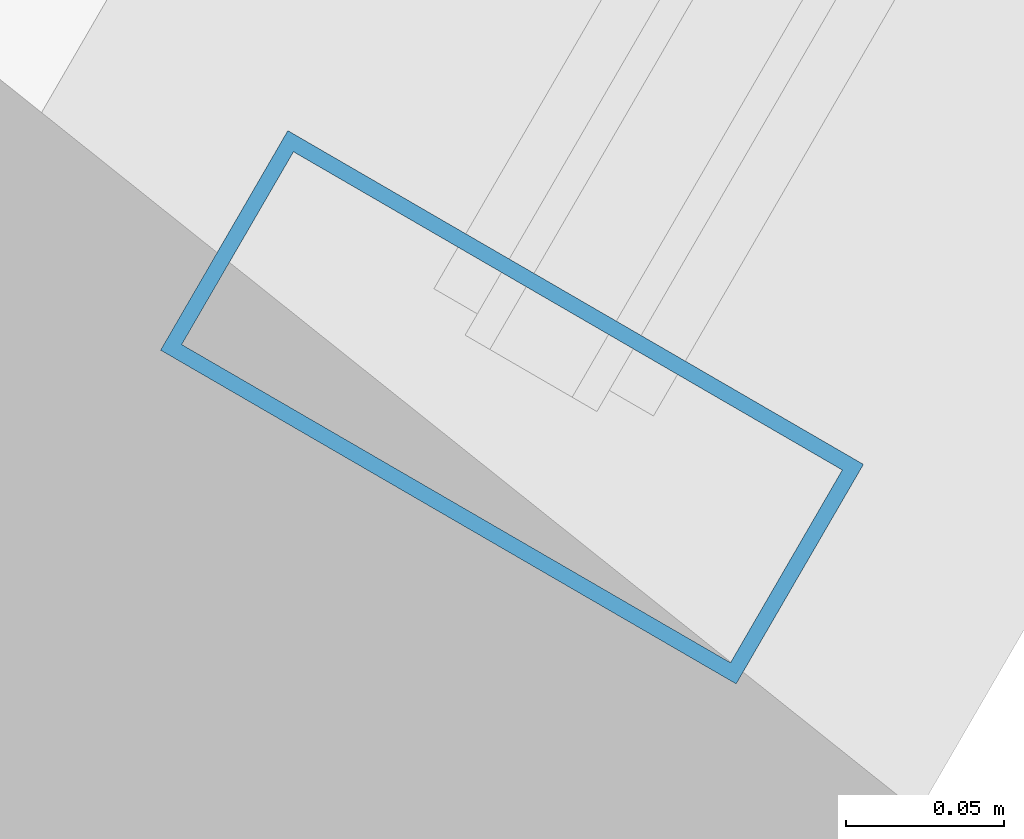
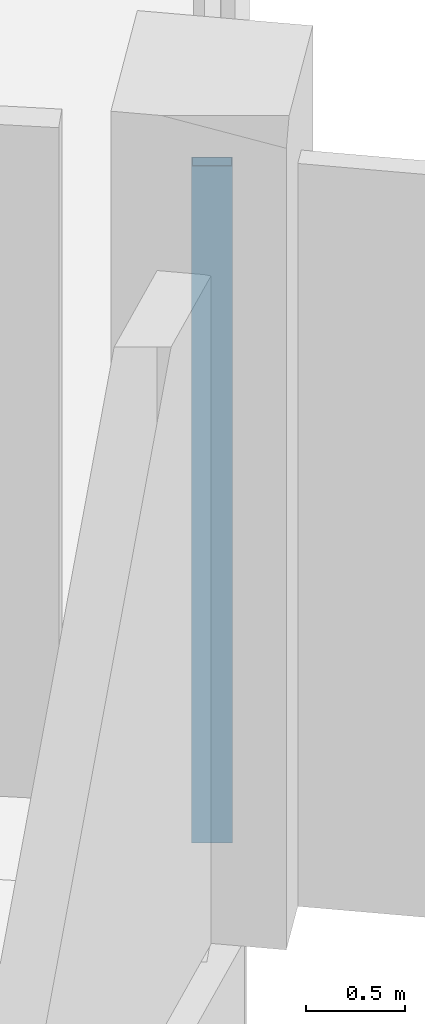
# One storey, part 66 of 184: 1 member, 1 element without a shape of its own.
"""IFC4 building model written with IfcOpenShell, lengths in metres."""

from ifc_helpers import new_model, si_unit, direction, frame, origin, origin_2d, place, context, subcontext, project, spatial, hollow_rectangle, extrude, material, layer, layer_set, material_profile, profile_set, type_object, element, aggregate, save


model = new_model("IFC4")

# Units and contexts
model_context = context("Model", 3, precision=1e-05, world=origin(), true_north=direction((0.0, 1.0)))
body_context = subcontext(model_context, "Body", "Model", "MODEL_VIEW")
ifc_project = project(units=[si_unit("LENGTHUNIT", "METRE"), si_unit("AREAUNIT", "SQUARE_METRE"), si_unit("VOLUMEUNIT", "CUBIC_METRE"), si_unit("PLANEANGLEUNIT", "RADIAN"), si_unit("MASSUNIT", "GRAM", prefix="KILO")], contexts=[model_context])

# Site, building, storey
site_placement = place(None, origin())
site = spatial("IfcSite", under=ifc_project, at=site_placement, CompositionType="ELEMENT")
building_placement = place(site_placement, origin())
building = spatial("IfcBuilding", under=site, at=building_placement, Name="Kazemori Nagisa Stadium", CompositionType="ELEMENT")
storey_placement = place(building_placement, frame((0.0, 0.0, 10.5400390625)))
storey = spatial("IfcBuildingStorey", under=building, at=storey_placement, Name="L02", CompositionType="ELEMENT", Elevation=10.5400390625)

# Curtain wall, member
ifc_material_1 = material(Name="Anodised aluminium 6063-T5", Category="aluminium")
ifc_layer = layer(ifc_material_1, 0.2099609375, Name="Anodised aluminium 6063-T5", Category="aluminium")
ifc_layer_set = layer_set([ifc_layer], Name="Anodised aluminium 6063-T5")
curtain_wall_type = type_object("IfcCurtainWallType", Name="CW_L02R3_99", PredefinedType="USERDEFINED", material=ifc_layer_set)
curtain_wall_placement = place(storey_placement, origin())
curtain_wall = element("IfcCurtainWall", 1, at=curtain_wall_placement, inside=storey, type_object=curtain_wall_type, Name="Unitised curtain wall CW-L02R3-99 L02", ObjectType="UNITISED CURTAIN WALL", PredefinedType="USERDEFINED")
ifc_material_2 = material(Name="Aluminium 6063-T5 anodised", Category="aluminium")
ifc_material_profile = material_profile(ifc_material_2, hollow_rectangle(XDim=0.080078125, YDim=0.2099609375, WallThickness=0.0048828125, at=origin_2d()), Name="ALU-MULL-80x210x5")
ifc_profile_set = profile_set([ifc_material_profile], Name="Aluminium 6063-T5 anodised")
member_type = type_object("IfcMemberType", Name="Mullion_M02", PredefinedType="MULLION", material=ifc_profile_set)
member_placement = place(storey_placement, frame((201.733642578125, 45.7431640625, 0.0), z_axis=(0.0, 0.0, 1.0), x_axis=(0.501611590054, 0.865092950337, 0.0)))
member = element("IfcMember", 2, at=member_placement, type_object=member_type, Name="Curtain wall mullion CW-L02R3-99-M1", PredefinedType="MULLION", context=body_context, shape_type="SweptSolid", body=[
    extrude(hollow_rectangle(XDim=0.080078125, YDim=0.2099609375, WallThickness=0.0048828125, at=origin_2d()), origin(), (0.0, 0.0, 1.0), 4.18994140625),
])
aggregate(curtain_wall, [member])

save(model, "model.ifc")
